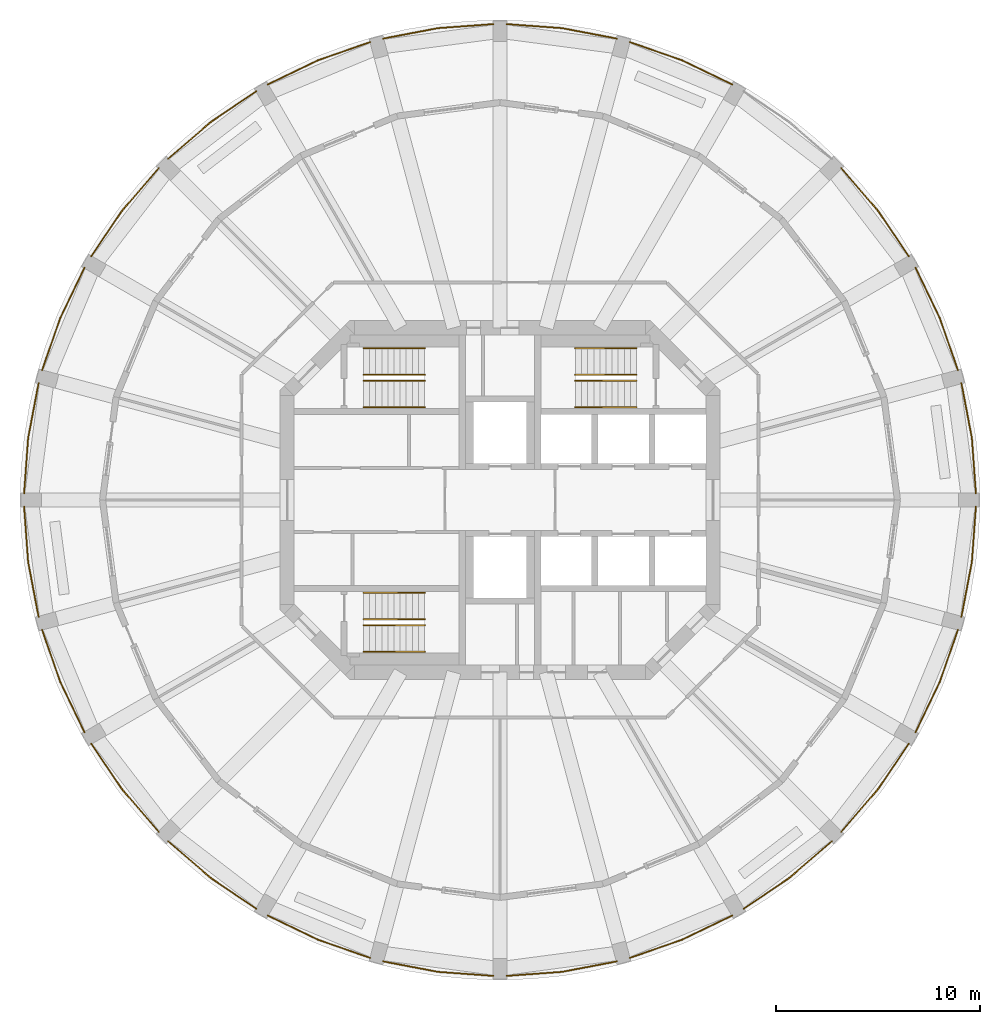
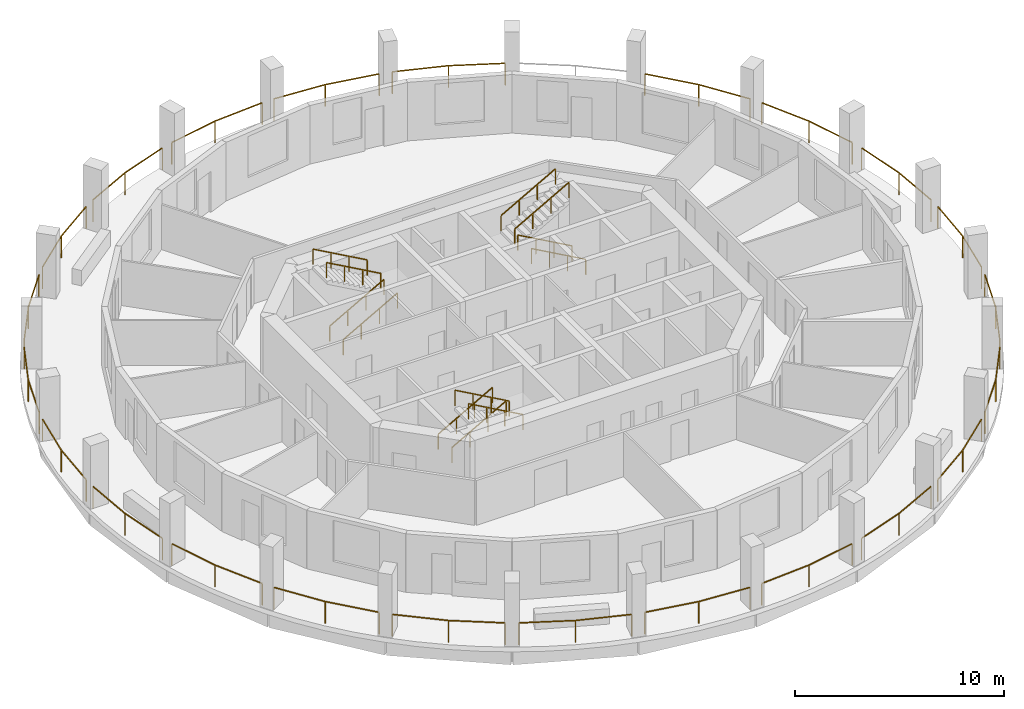
# One storey, part 7 of 8: 35 railings.
"""IFC4 building model written with IfcOpenShell, lengths in metres."""

from ifc_helpers import new_model, si_unit, direction, frame, origin, origin_2d, place, context, subcontext, project, spatial, rectangle, extrude, material, type_object, element, save


model = new_model("IFC4")

# Units and contexts
model_context = context("Model", 3, precision=1e-05, world=origin(), true_north=direction((0.0, 1.0)))
body_context = subcontext(model_context, "Body", "Model", "MODEL_VIEW")
ifc_project = project(units=[si_unit("LENGTHUNIT", "METRE"), si_unit("AREAUNIT", "SQUARE_METRE"), si_unit("VOLUMEUNIT", "CUBIC_METRE"), si_unit("PLANEANGLEUNIT", "RADIAN"), si_unit("MASSUNIT", "GRAM", prefix="KILO")], contexts=[model_context])

# Site, building, storey
site_placement = place(None, origin())
site = spatial("IfcSite", under=ifc_project, at=site_placement, CompositionType="ELEMENT")
building_placement = place(site_placement, origin())
building = spatial("IfcBuilding", under=site, at=building_placement, Name="Torre Triforio", CompositionType="ELEMENT")
storey_placement = place(building_placement, frame((0.0, 0.0, 196.5)))
storey = spatial("IfcBuildingStorey", under=building, at=storey_placement, Name="L44", CompositionType="ELEMENT", Elevation=196.5)

# Railings
ifc_material = material(Name="Stainless steel AISI 316", Category="steel")
railing_type_1 = type_object("IfcRailingType", Name="HANDRAIL 920", PredefinedType="HANDRAIL", material=ifc_material)
for number, where, name in (
    (1, (-6.699951171875, 4.550048828125, 0.168212890625), "Handrail ST1"),
    (2, (-6.699951171875, 5.85009765625, 0.168212890625), "Handrail ST1"),
):
    element("IfcRailing", number, at=place(storey_placement, frame(where)), inside=storey, type_object=railing_type_1, Name=name, PredefinedType="HANDRAIL", context=body_context, shape_type="SweptSolid", body=[
        extrude(rectangle(XDim=0.048095703125, YDim=0.048095703125, at=origin_2d()), frame((0.0, 0.0, 0.89599609375), z_axis=(0.872272294576, 0.0, 0.489020494575), x_axis=(0.0, 1.0, 0.0)), (0.0, 0.0, 1.0), 3.439208984375),
        extrude(rectangle(XDim=0.0419921875, YDim=0.0419921875, at=origin_2d()), origin(), (0.0, 0.0, 1.0), 0.871826171875),
        extrude(rectangle(XDim=0.0419921875, YDim=0.0419921875, at=origin_2d()), frame((1.0, 0.0, 0.560546875)), (0.0, 0.0, 1.0), 0.871826171875),
        extrude(rectangle(XDim=0.0419921875, YDim=0.0419921875, at=origin_2d()), frame((2.0, 0.0, 1.121337890625)), (0.0, 0.0, 1.0), 0.871826171875),
        extrude(rectangle(XDim=0.0419921875, YDim=0.0419921875, at=origin_2d()), frame((3.0, 0.0, 1.681884765625)), (0.0, 0.0, 1.0), 0.871826171875),
    ])
for number, where, name in (
    (3, (-3.699951171875, 7.449951171875, 2.01806640625), "Handrail ST1"),
    (4, (-3.699951171875, 6.14990234375, 2.01806640625), "Handrail ST1"),
    (5, (6.699951171875, 4.550048828125, 0.168212890625), "Handrail ST2"),
    (6, (6.699951171875, 5.85009765625, 0.168212890625), "Handrail ST2"),
):
    element("IfcRailing", number, at=place(storey_placement, frame(where)), inside=storey, type_object=railing_type_1, Name=name, PredefinedType="HANDRAIL", context=body_context, shape_type="SweptSolid", body=[
        extrude(rectangle(XDim=0.048095703125, YDim=0.048095703125, at=origin_2d()), frame((0.0, 0.0, 0.89599609375), z_axis=(-0.872272294576, 0.0, 0.489020494575), x_axis=(0.0, -1.0, 0.0)), (0.0, 0.0, 1.0), 3.439208984375),
        extrude(rectangle(XDim=0.0419921875, YDim=0.0419921875, at=origin_2d()), origin(), (0.0, 0.0, 1.0), 0.871826171875),
        extrude(rectangle(XDim=0.0419921875, YDim=0.0419921875, at=origin_2d()), frame((-1.0, 0.0, 0.560546875)), (0.0, 0.0, 1.0), 0.871826171875),
        extrude(rectangle(XDim=0.0419921875, YDim=0.0419921875, at=origin_2d()), frame((-2.0, 0.0, 1.121337890625)), (0.0, 0.0, 1.0), 0.871826171875),
        extrude(rectangle(XDim=0.0419921875, YDim=0.0419921875, at=origin_2d()), frame((-3.0, 0.0, 1.681884765625)), (0.0, 0.0, 1.0), 0.871826171875),
    ])
for number, where, name in (
    (7, (3.699951171875, 7.449951171875, 2.01806640625), "Handrail ST2"),
    (8, (3.699951171875, 6.14990234375, 2.01806640625), "Handrail ST2"),
    (9, (-6.699951171875, -4.550048828125, 0.168212890625), "Handrail ST3"),
    (10, (-6.699951171875, -5.85009765625, 0.168212890625), "Handrail ST3"),
):
    element("IfcRailing", number, at=place(storey_placement, frame(where)), inside=storey, type_object=railing_type_1, Name=name, PredefinedType="HANDRAIL", context=body_context, shape_type="SweptSolid", body=[
        extrude(rectangle(XDim=0.048095703125, YDim=0.048095703125, at=origin_2d()), frame((0.0, 0.0, 0.89599609375), z_axis=(0.872272294576, 0.0, 0.489020494575), x_axis=(0.0, 1.0, 0.0)), (0.0, 0.0, 1.0), 3.439208984375),
        extrude(rectangle(XDim=0.0419921875, YDim=0.0419921875, at=origin_2d()), origin(), (0.0, 0.0, 1.0), 0.871826171875),
        extrude(rectangle(XDim=0.0419921875, YDim=0.0419921875, at=origin_2d()), frame((1.0, 0.0, 0.560546875)), (0.0, 0.0, 1.0), 0.871826171875),
        extrude(rectangle(XDim=0.0419921875, YDim=0.0419921875, at=origin_2d()), frame((2.0, 0.0, 1.121337890625)), (0.0, 0.0, 1.0), 0.871826171875),
        extrude(rectangle(XDim=0.0419921875, YDim=0.0419921875, at=origin_2d()), frame((3.0, 0.0, 1.681884765625)), (0.0, 0.0, 1.0), 0.871826171875),
    ])
for number, where, name in (
    (11, (-3.699951171875, -7.449951171875, 2.01806640625), "Handrail ST3"),
    (12, (-3.699951171875, -6.14990234375, 2.01806640625), "Handrail ST3"),
):
    element("IfcRailing", number, at=place(storey_placement, frame(where)), inside=storey, type_object=railing_type_1, Name=name, PredefinedType="HANDRAIL", context=body_context, shape_type="SweptSolid", body=[
        extrude(rectangle(XDim=0.048095703125, YDim=0.048095703125, at=origin_2d()), frame((0.0, 0.0, 0.89599609375), z_axis=(-0.872272294576, 0.0, 0.489020494575), x_axis=(0.0, -1.0, 0.0)), (0.0, 0.0, 1.0), 3.439208984375),
        extrude(rectangle(XDim=0.0419921875, YDim=0.0419921875, at=origin_2d()), origin(), (0.0, 0.0, 1.0), 0.871826171875),
        extrude(rectangle(XDim=0.0419921875, YDim=0.0419921875, at=origin_2d()), frame((-1.0, 0.0, 0.560546875)), (0.0, 0.0, 1.0), 0.871826171875),
        extrude(rectangle(XDim=0.0419921875, YDim=0.0419921875, at=origin_2d()), frame((-2.0, 0.0, 1.121337890625)), (0.0, 0.0, 1.0), 0.871826171875),
        extrude(rectangle(XDim=0.0419921875, YDim=0.0419921875, at=origin_2d()), frame((-3.0, 0.0, 1.681884765625)), (0.0, 0.0, 1.0), 0.871826171875),
    ])
railing_type_2 = type_object("IfcRailingType", Name="Loggia guard 1300", PredefinedType="GUARDRAIL", material=ifc_material)
railing_1_placement = place(storey_placement, frame((23.35009765625, 0.320068359375, 0.0)))
element("IfcRailing", 13, at=railing_1_placement, inside=storey, type_object=railing_type_2, Name="Loggia guard L44 bay 01", PredefinedType="GUARDRAIL", context=body_context, shape_type="SweptSolid", body=[
    extrude(rectangle(XDim=0.050048828125, YDim=0.050048828125, at=origin_2d()), frame((0.0, 0.0, 1.27490234375), z_axis=(-0.073105569346, 0.997324207934, 0.0), x_axis=(-0.997324207934, -0.073105569346, 0.0)), (0.0, 0.0, 1.0), 2.735107421875),
    extrude(rectangle(XDim=0.050048828125, YDim=0.050048828125, at=origin_2d()), frame((-0.199951171875, 2.727783203125, 1.27490234375), z_axis=(-0.187542781797, 0.982256435457, 0.0), x_axis=(-0.982256435457, -0.187542781797, 0.0)), (0.0, 0.0, 1.0), 2.735107421875),
    extrude(rectangle(XDim=0.0400390625, YDim=0.0400390625, at=origin_2d()), origin(), (0.0, 0.0, 1.0), 1.25),
    extrude(rectangle(XDim=0.0400390625, YDim=0.0400390625, at=origin_2d()), frame((-0.199951171875, 2.727783203125, 0.0)), (0.0, 0.0, 1.0), 1.25),
    extrude(rectangle(XDim=0.0400390625, YDim=0.0400390625, at=origin_2d()), frame((-0.712890625, 5.414306640625, 0.0)), (0.0, 0.0, 1.0), 1.25),
])
railing_2_placement = place(storey_placement, frame((22.471435546875, 6.3525390625, 0.0)))
element("IfcRailing", 14, at=railing_2_placement, inside=storey, type_object=railing_type_2, Name="Loggia guard L44 bay 02", PredefinedType="GUARDRAIL", context=body_context, shape_type="SweptSolid", body=[
    extrude(rectangle(XDim=0.050048828125, YDim=0.050048828125, at=origin_2d()), frame((0.0, 0.0, 1.27490234375), z_axis=(-0.328652177394, 0.944451029061, 0.0), x_axis=(-0.944451029061, -0.328652177394, 0.0)), (0.0, 0.0, 1.0), 2.735107421875),
    extrude(rectangle(XDim=0.050048828125, YDim=0.050048828125, at=origin_2d()), frame((-0.89892578125, 2.583251953125, 1.27490234375), z_axis=(-0.435427931096, 0.900223592682, 0.0), x_axis=(-0.900223592682, -0.435427931096, 0.0)), (0.0, 0.0, 1.0), 2.735107421875),
    extrude(rectangle(XDim=0.0400390625, YDim=0.0400390625, at=origin_2d()), origin(), (0.0, 0.0, 1.0), 1.25),
    extrude(rectangle(XDim=0.0400390625, YDim=0.0400390625, at=origin_2d()), frame((-0.89892578125, 2.583251953125, 0.0)), (0.0, 0.0, 1.0), 1.25),
    extrude(rectangle(XDim=0.0400390625, YDim=0.0400390625, at=origin_2d()), frame((-2.08984375, 5.04541015625, 0.0)), (0.0, 0.0, 1.0), 1.25),
])
railing_3_placement = place(storey_placement, frame((20.061767578125, 11.9521484375, 0.0)))
element("IfcRailing", 15, at=railing_3_placement, inside=storey, type_object=railing_type_2, Name="Loggia guard L44 bay 03", PredefinedType="GUARDRAIL", context=body_context, shape_type="SweptSolid", body=[
    extrude(rectangle(XDim=0.050048828125, YDim=0.050048828125, at=origin_2d()), frame((0.0, 0.0, 1.27490234375), z_axis=(-0.561909542334, 0.827198686069, 0.0), x_axis=(-0.827198686069, -0.561909542334, 0.0)), (0.0, 0.0, 1.0), 2.735107421875),
    extrude(rectangle(XDim=0.050048828125, YDim=0.050048828125, at=origin_2d()), frame((-1.536865234375, 2.262451171875, 1.27490234375), z_axis=(-0.653580361536, 0.756857127214, 0.0), x_axis=(-0.756857127214, -0.653580361536, 0.0)), (0.0, 0.0, 1.0), 2.735107421875),
    extrude(rectangle(XDim=0.0400390625, YDim=0.0400390625, at=origin_2d()), origin(), (0.0, 0.0, 1.0), 1.25),
    extrude(rectangle(XDim=0.0400390625, YDim=0.0400390625, at=origin_2d()), frame((-1.536865234375, 2.262451171875, 0.0)), (0.0, 0.0, 1.0), 1.25),
    extrude(rectangle(XDim=0.0400390625, YDim=0.0400390625, at=origin_2d()), frame((-3.324462890625, 4.33251953125, 0.0)), (0.0, 0.0, 1.0), 1.25),
])
railing_4_placement = place(storey_placement, frame((11.39794921875, 20.381591796875, 0.0)))
element("IfcRailing", 16, at=railing_4_placement, inside=storey, type_object=railing_type_2, Name="Loggia guard L44 bay 05", PredefinedType="GUARDRAIL", context=body_context, shape_type="SweptSolid", body=[
    extrude(rectangle(XDim=0.050048828125, YDim=0.050048828125, at=origin_2d()), frame((0.0, 0.0, 1.27490234375), z_axis=(-0.900223592682, 0.435427931096, 0.0), x_axis=(-0.435427931096, -0.900223592682, 0.0)), (0.0, 0.0, 1.0), 2.735107421875),
    extrude(rectangle(XDim=0.050048828125, YDim=0.050048828125, at=origin_2d()), frame((-2.462158203125, 1.19091796875, 1.27490234375), z_axis=(-0.944451029061, 0.328652177394, 0.0), x_axis=(-0.328652177394, -0.944451029061, 0.0)), (0.0, 0.0, 1.0), 2.735107421875),
    extrude(rectangle(XDim=0.0400390625, YDim=0.0400390625, at=origin_2d()), origin(), (0.0, 0.0, 1.0), 1.25),
    extrude(rectangle(XDim=0.0400390625, YDim=0.0400390625, at=origin_2d()), frame((-2.462158203125, 1.19091796875, 0.0)), (0.0, 0.0, 1.0), 1.25),
    extrude(rectangle(XDim=0.0400390625, YDim=0.0400390625, at=origin_2d()), frame((-5.04541015625, 2.08984375, 0.0)), (0.0, 0.0, 1.0), 1.25),
])
railing_5_placement = place(storey_placement, frame((5.734375, 22.63720703125, 0.0)))
element("IfcRailing", 17, at=railing_5_placement, inside=storey, type_object=railing_type_2, Name="Loggia guard L44 bay 06", PredefinedType="GUARDRAIL", context=body_context, shape_type="SweptSolid", body=[
    extrude(rectangle(XDim=0.050048828125, YDim=0.050048828125, at=origin_2d()), frame((0.0, 0.0, 1.27490234375), z_axis=(-0.982256435457, 0.187542781797, 0.0), x_axis=(-0.187542781797, -0.982256435457, 0.0)), (0.0, 0.0, 1.0), 2.735107421875),
    extrude(rectangle(XDim=0.050048828125, YDim=0.050048828125, at=origin_2d()), frame((-2.6865234375, 0.512939453125, 1.27490234375), z_axis=(-0.997324207934, 0.073105569346, 0.0), x_axis=(-0.073105569346, -0.997324207934, 0.0)), (0.0, 0.0, 1.0), 2.735107421875),
    extrude(rectangle(XDim=0.0400390625, YDim=0.0400390625, at=origin_2d()), origin(), (0.0, 0.0, 1.0), 1.25),
    extrude(rectangle(XDim=0.0400390625, YDim=0.0400390625, at=origin_2d()), frame((-2.6865234375, 0.512939453125, 0.0)), (0.0, 0.0, 1.0), 1.25),
    extrude(rectangle(XDim=0.0400390625, YDim=0.0400390625, at=origin_2d()), frame((-5.414306640625, 0.712890625, 0.0)), (0.0, 0.0, 1.0), 1.25),
])
railing_6_placement = place(storey_placement, frame((-0.320068359375, 23.35009765625, 0.0)))
element("IfcRailing", 18, at=railing_6_placement, inside=storey, type_object=railing_type_2, Name="Loggia guard L44 bay 07", PredefinedType="GUARDRAIL", context=body_context, shape_type="SweptSolid", body=[
    extrude(rectangle(XDim=0.050048828125, YDim=0.050048828125, at=origin_2d()), frame((0.0, 0.0, 1.27490234375), z_axis=(-0.997324207934, -0.073105569346, 0.0), x_axis=(0.073105569346, -0.997324207934, 0.0)), (0.0, 0.0, 1.0), 2.735107421875),
    extrude(rectangle(XDim=0.050048828125, YDim=0.050048828125, at=origin_2d()), frame((-2.727783203125, -0.199951171875, 1.27490234375), z_axis=(-0.982256435457, -0.187542781797, 0.0), x_axis=(0.187542781797, -0.982256435457, 0.0)), (0.0, 0.0, 1.0), 2.735107421875),
    extrude(rectangle(XDim=0.0400390625, YDim=0.0400390625, at=origin_2d()), origin(), (0.0, 0.0, 1.0), 1.25),
    extrude(rectangle(XDim=0.0400390625, YDim=0.0400390625, at=origin_2d()), frame((-2.727783203125, -0.199951171875, 0.0)), (0.0, 0.0, 1.0), 1.25),
    extrude(rectangle(XDim=0.0400390625, YDim=0.0400390625, at=origin_2d()), frame((-5.414306640625, -0.712890625, 0.0)), (0.0, 0.0, 1.0), 1.25),
])
railing_7_placement = place(storey_placement, frame((-6.3525390625, 22.471435546875, 0.0)))
element("IfcRailing", 19, at=railing_7_placement, inside=storey, type_object=railing_type_2, Name="Loggia guard L44 bay 08", PredefinedType="GUARDRAIL", context=body_context, shape_type="SweptSolid", body=[
    extrude(rectangle(XDim=0.050048828125, YDim=0.050048828125, at=origin_2d()), frame((0.0, 0.0, 1.27490234375), z_axis=(-0.944451029061, -0.328652177394, 0.0), x_axis=(0.328652177394, -0.944451029061, 0.0)), (0.0, 0.0, 1.0), 2.735107421875),
    extrude(rectangle(XDim=0.050048828125, YDim=0.050048828125, at=origin_2d()), frame((-2.583251953125, -0.89892578125, 1.27490234375), z_axis=(-0.900223592682, -0.435427931096, 0.0), x_axis=(0.435427931096, -0.900223592682, 0.0)), (0.0, 0.0, 1.0), 2.735107421875),
    extrude(rectangle(XDim=0.0400390625, YDim=0.0400390625, at=origin_2d()), origin(), (0.0, 0.0, 1.0), 1.25),
    extrude(rectangle(XDim=0.0400390625, YDim=0.0400390625, at=origin_2d()), frame((-2.583251953125, -0.89892578125, 0.0)), (0.0, 0.0, 1.0), 1.25),
    extrude(rectangle(XDim=0.0400390625, YDim=0.0400390625, at=origin_2d()), frame((-5.04541015625, -2.08984375, 0.0)), (0.0, 0.0, 1.0), 1.25),
])
railing_8_placement = place(storey_placement, frame((-11.9521484375, 20.061767578125, 0.0)))
element("IfcRailing", 20, at=railing_8_placement, inside=storey, type_object=railing_type_2, Name="Loggia guard L44 bay 09", PredefinedType="GUARDRAIL", context=body_context, shape_type="SweptSolid", body=[
    extrude(rectangle(XDim=0.050048828125, YDim=0.050048828125, at=origin_2d()), frame((0.0, 0.0, 1.27490234375), z_axis=(-0.827198686069, -0.561909542334, 0.0), x_axis=(0.561909542334, -0.827198686069, 0.0)), (0.0, 0.0, 1.0), 2.735107421875),
    extrude(rectangle(XDim=0.050048828125, YDim=0.050048828125, at=origin_2d()), frame((-2.262451171875, -1.536865234375, 1.27490234375), z_axis=(-0.756857127214, -0.653580361536, 0.0), x_axis=(0.653580361536, -0.756857127214, 0.0)), (0.0, 0.0, 1.0), 2.735107421875),
    extrude(rectangle(XDim=0.0400390625, YDim=0.0400390625, at=origin_2d()), origin(), (0.0, 0.0, 1.0), 1.25),
    extrude(rectangle(XDim=0.0400390625, YDim=0.0400390625, at=origin_2d()), frame((-2.262451171875, -1.536865234375, 0.0)), (0.0, 0.0, 1.0), 1.25),
    extrude(rectangle(XDim=0.0400390625, YDim=0.0400390625, at=origin_2d()), frame((-4.33251953125, -3.324462890625, 0.0)), (0.0, 0.0, 1.0), 1.25),
])
railing_9_placement = place(storey_placement, frame((-16.7373046875, 16.28466796875, 0.0)))
element("IfcRailing", 21, at=railing_9_placement, inside=storey, type_object=railing_type_2, Name="Loggia guard L44 bay 10", PredefinedType="GUARDRAIL", context=body_context, shape_type="SweptSolid", body=[
    extrude(rectangle(XDim=0.050048828125, YDim=0.050048828125, at=origin_2d()), frame((0.0, 0.0, 1.27490234375), z_axis=(-0.653580361536, -0.756857127214, 0.0), x_axis=(0.756857127214, -0.653580361536, 0.0)), (0.0, 0.0, 1.0), 2.735107421875),
    extrude(rectangle(XDim=0.050048828125, YDim=0.050048828125, at=origin_2d()), frame((-1.78759765625, -2.070068359375, 1.27490234375), z_axis=(-0.561909542334, -0.827198686069, 0.0), x_axis=(0.827198686069, -0.561909542334, 0.0)), (0.0, 0.0, 1.0), 2.735107421875),
    extrude(rectangle(XDim=0.0400390625, YDim=0.0400390625, at=origin_2d()), origin(), (0.0, 0.0, 1.0), 1.25),
    extrude(rectangle(XDim=0.0400390625, YDim=0.0400390625, at=origin_2d()), frame((-1.78759765625, -2.070068359375, 0.0)), (0.0, 0.0, 1.0), 1.25),
    extrude(rectangle(XDim=0.0400390625, YDim=0.0400390625, at=origin_2d()), frame((-3.324462890625, -4.33251953125, 0.0)), (0.0, 0.0, 1.0), 1.25),
])
railing_10_placement = place(storey_placement, frame((-20.381591796875, 11.39794921875, 0.0)))
element("IfcRailing", 22, at=railing_10_placement, inside=storey, type_object=railing_type_2, Name="Loggia guard L44 bay 11", PredefinedType="GUARDRAIL", context=body_context, shape_type="SweptSolid", body=[
    extrude(rectangle(XDim=0.050048828125, YDim=0.050048828125, at=origin_2d()), frame((0.0, 0.0, 1.27490234375), z_axis=(-0.435427931096, -0.900223592682, 0.0), x_axis=(0.900223592682, -0.435427931096, 0.0)), (0.0, 0.0, 1.0), 2.735107421875),
    extrude(rectangle(XDim=0.050048828125, YDim=0.050048828125, at=origin_2d()), frame((-1.19091796875, -2.462158203125, 1.27490234375), z_axis=(-0.328652177394, -0.944451029061, 0.0), x_axis=(0.944451029061, -0.328652177394, 0.0)), (0.0, 0.0, 1.0), 2.735107421875),
    extrude(rectangle(XDim=0.0400390625, YDim=0.0400390625, at=origin_2d()), origin(), (0.0, 0.0, 1.0), 1.25),
    extrude(rectangle(XDim=0.0400390625, YDim=0.0400390625, at=origin_2d()), frame((-1.19091796875, -2.462158203125, 0.0)), (0.0, 0.0, 1.0), 1.25),
    extrude(rectangle(XDim=0.0400390625, YDim=0.0400390625, at=origin_2d()), frame((-2.08984375, -5.04541015625, 0.0)), (0.0, 0.0, 1.0), 1.25),
])
railing_11_placement = place(storey_placement, frame((-22.63720703125, 5.734375, 0.0)))
element("IfcRailing", 23, at=railing_11_placement, inside=storey, type_object=railing_type_2, Name="Loggia guard L44 bay 12", PredefinedType="GUARDRAIL", context=body_context, shape_type="SweptSolid", body=[
    extrude(rectangle(XDim=0.050048828125, YDim=0.050048828125, at=origin_2d()), frame((0.0, 0.0, 1.27490234375), z_axis=(-0.187542781797, -0.982256435457, 0.0), x_axis=(0.982256435457, -0.187542781797, 0.0)), (0.0, 0.0, 1.0), 2.735107421875),
    extrude(rectangle(XDim=0.050048828125, YDim=0.050048828125, at=origin_2d()), frame((-0.512939453125, -2.6865234375, 1.27490234375), z_axis=(-0.073105569346, -0.997324207934, 0.0), x_axis=(0.997324207934, -0.073105569346, 0.0)), (0.0, 0.0, 1.0), 2.735107421875),
    extrude(rectangle(XDim=0.0400390625, YDim=0.0400390625, at=origin_2d()), origin(), (0.0, 0.0, 1.0), 1.25),
    extrude(rectangle(XDim=0.0400390625, YDim=0.0400390625, at=origin_2d()), frame((-0.512939453125, -2.6865234375, 0.0)), (0.0, 0.0, 1.0), 1.25),
    extrude(rectangle(XDim=0.0400390625, YDim=0.0400390625, at=origin_2d()), frame((-0.712890625, -5.414306640625, 0.0)), (0.0, 0.0, 1.0), 1.25),
])
railing_12_placement = place(storey_placement, frame((-23.35009765625, -0.320068359375, 0.0)))
element("IfcRailing", 24, at=railing_12_placement, inside=storey, type_object=railing_type_2, Name="Loggia guard L44 bay 13", PredefinedType="GUARDRAIL", context=body_context, shape_type="SweptSolid", body=[
    extrude(rectangle(XDim=0.050048828125, YDim=0.050048828125, at=origin_2d()), frame((0.0, 0.0, 1.27490234375), z_axis=(0.073105569346, -0.997324207934, 0.0), x_axis=(0.997324207934, 0.073105569346, 0.0)), (0.0, 0.0, 1.0), 2.735107421875),
    extrude(rectangle(XDim=0.050048828125, YDim=0.050048828125, at=origin_2d()), frame((0.199951171875, -2.727783203125, 1.27490234375), z_axis=(0.187542781797, -0.982256435457, 0.0), x_axis=(0.982256435457, 0.187542781797, 0.0)), (0.0, 0.0, 1.0), 2.735107421875),
    extrude(rectangle(XDim=0.0400390625, YDim=0.0400390625, at=origin_2d()), origin(), (0.0, 0.0, 1.0), 1.25),
    extrude(rectangle(XDim=0.0400390625, YDim=0.0400390625, at=origin_2d()), frame((0.199951171875, -2.727783203125, 0.0)), (0.0, 0.0, 1.0), 1.25),
    extrude(rectangle(XDim=0.0400390625, YDim=0.0400390625, at=origin_2d()), frame((0.712890625, -5.414306640625, 0.0)), (0.0, 0.0, 1.0), 1.25),
])
railing_13_placement = place(storey_placement, frame((-22.471435546875, -6.3525390625, 0.0)))
element("IfcRailing", 25, at=railing_13_placement, inside=storey, type_object=railing_type_2, Name="Loggia guard L44 bay 14", PredefinedType="GUARDRAIL", context=body_context, shape_type="SweptSolid", body=[
    extrude(rectangle(XDim=0.050048828125, YDim=0.050048828125, at=origin_2d()), frame((0.0, 0.0, 1.27490234375), z_axis=(0.328652177394, -0.944451029061, 0.0), x_axis=(0.944451029061, 0.328652177394, 0.0)), (0.0, 0.0, 1.0), 2.735107421875),
    extrude(rectangle(XDim=0.050048828125, YDim=0.050048828125, at=origin_2d()), frame((0.89892578125, -2.583251953125, 1.27490234375), z_axis=(0.435427931096, -0.900223592682, 0.0), x_axis=(0.900223592682, 0.435427931096, 0.0)), (0.0, 0.0, 1.0), 2.735107421875),
    extrude(rectangle(XDim=0.0400390625, YDim=0.0400390625, at=origin_2d()), origin(), (0.0, 0.0, 1.0), 1.25),
    extrude(rectangle(XDim=0.0400390625, YDim=0.0400390625, at=origin_2d()), frame((0.89892578125, -2.583251953125, 0.0)), (0.0, 0.0, 1.0), 1.25),
    extrude(rectangle(XDim=0.0400390625, YDim=0.0400390625, at=origin_2d()), frame((2.08984375, -5.04541015625, 0.0)), (0.0, 0.0, 1.0), 1.25),
])
railing_14_placement = place(storey_placement, frame((-20.061767578125, -11.9521484375, 0.0)))
element("IfcRailing", 26, at=railing_14_placement, inside=storey, type_object=railing_type_2, Name="Loggia guard L44 bay 15", PredefinedType="GUARDRAIL", context=body_context, shape_type="SweptSolid", body=[
    extrude(rectangle(XDim=0.050048828125, YDim=0.050048828125, at=origin_2d()), frame((0.0, 0.0, 1.27490234375), z_axis=(0.561909542334, -0.827198686069, 0.0), x_axis=(0.827198686069, 0.561909542334, 0.0)), (0.0, 0.0, 1.0), 2.735107421875),
    extrude(rectangle(XDim=0.050048828125, YDim=0.050048828125, at=origin_2d()), frame((1.536865234375, -2.262451171875, 1.27490234375), z_axis=(0.653580361536, -0.756857127214, 0.0), x_axis=(0.756857127214, 0.653580361536, 0.0)), (0.0, 0.0, 1.0), 2.735107421875),
    extrude(rectangle(XDim=0.0400390625, YDim=0.0400390625, at=origin_2d()), origin(), (0.0, 0.0, 1.0), 1.25),
    extrude(rectangle(XDim=0.0400390625, YDim=0.0400390625, at=origin_2d()), frame((1.536865234375, -2.262451171875, 0.0)), (0.0, 0.0, 1.0), 1.25),
    extrude(rectangle(XDim=0.0400390625, YDim=0.0400390625, at=origin_2d()), frame((3.324462890625, -4.33251953125, 0.0)), (0.0, 0.0, 1.0), 1.25),
])
railing_15_placement = place(storey_placement, frame((-16.28466796875, -16.7373046875, 0.0)))
element("IfcRailing", 27, at=railing_15_placement, inside=storey, type_object=railing_type_2, Name="Loggia guard L44 bay 16", PredefinedType="GUARDRAIL", context=body_context, shape_type="SweptSolid", body=[
    extrude(rectangle(XDim=0.050048828125, YDim=0.050048828125, at=origin_2d()), frame((0.0, 0.0, 1.27490234375), z_axis=(0.756857127214, -0.653580361536, 0.0), x_axis=(0.653580361536, 0.756857127214, 0.0)), (0.0, 0.0, 1.0), 2.735107421875),
    extrude(rectangle(XDim=0.050048828125, YDim=0.050048828125, at=origin_2d()), frame((2.070068359375, -1.78759765625, 1.27490234375), z_axis=(0.827198686069, -0.561909542334, 0.0), x_axis=(0.561909542334, 0.827198686069, 0.0)), (0.0, 0.0, 1.0), 2.735107421875),
    extrude(rectangle(XDim=0.0400390625, YDim=0.0400390625, at=origin_2d()), origin(), (0.0, 0.0, 1.0), 1.25),
    extrude(rectangle(XDim=0.0400390625, YDim=0.0400390625, at=origin_2d()), frame((2.070068359375, -1.78759765625, 0.0)), (0.0, 0.0, 1.0), 1.25),
    extrude(rectangle(XDim=0.0400390625, YDim=0.0400390625, at=origin_2d()), frame((4.33251953125, -3.324462890625, 0.0)), (0.0, 0.0, 1.0), 1.25),
])
railing_16_placement = place(storey_placement, frame((-11.39794921875, -20.381591796875, 0.0)))
element("IfcRailing", 28, at=railing_16_placement, inside=storey, type_object=railing_type_2, Name="Loggia guard L44 bay 17", PredefinedType="GUARDRAIL", context=body_context, shape_type="SweptSolid", body=[
    extrude(rectangle(XDim=0.050048828125, YDim=0.050048828125, at=origin_2d()), frame((0.0, 0.0, 1.27490234375), z_axis=(0.900223592682, -0.435427931096, 0.0), x_axis=(0.435427931096, 0.900223592682, 0.0)), (0.0, 0.0, 1.0), 2.735107421875),
    extrude(rectangle(XDim=0.050048828125, YDim=0.050048828125, at=origin_2d()), frame((2.462158203125, -1.19091796875, 1.27490234375), z_axis=(0.944451029061, -0.328652177394, 0.0), x_axis=(0.328652177394, 0.944451029061, 0.0)), (0.0, 0.0, 1.0), 2.735107421875),
    extrude(rectangle(XDim=0.0400390625, YDim=0.0400390625, at=origin_2d()), origin(), (0.0, 0.0, 1.0), 1.25),
    extrude(rectangle(XDim=0.0400390625, YDim=0.0400390625, at=origin_2d()), frame((2.462158203125, -1.19091796875, 0.0)), (0.0, 0.0, 1.0), 1.25),
    extrude(rectangle(XDim=0.0400390625, YDim=0.0400390625, at=origin_2d()), frame((5.04541015625, -2.08984375, 0.0)), (0.0, 0.0, 1.0), 1.25),
])
railing_17_placement = place(storey_placement, frame((-5.734375, -22.63720703125, 0.0)))
element("IfcRailing", 29, at=railing_17_placement, inside=storey, type_object=railing_type_2, Name="Loggia guard L44 bay 18", PredefinedType="GUARDRAIL", context=body_context, shape_type="SweptSolid", body=[
    extrude(rectangle(XDim=0.050048828125, YDim=0.050048828125, at=origin_2d()), frame((0.0, 0.0, 1.27490234375), z_axis=(0.982256435457, -0.187542781797, 0.0), x_axis=(0.187542781797, 0.982256435457, 0.0)), (0.0, 0.0, 1.0), 2.735107421875),
    extrude(rectangle(XDim=0.050048828125, YDim=0.050048828125, at=origin_2d()), frame((2.6865234375, -0.512939453125, 1.27490234375), z_axis=(0.997324207934, -0.073105569346, 0.0), x_axis=(0.073105569346, 0.997324207934, 0.0)), (0.0, 0.0, 1.0), 2.735107421875),
    extrude(rectangle(XDim=0.0400390625, YDim=0.0400390625, at=origin_2d()), origin(), (0.0, 0.0, 1.0), 1.25),
    extrude(rectangle(XDim=0.0400390625, YDim=0.0400390625, at=origin_2d()), frame((2.6865234375, -0.512939453125, 0.0)), (0.0, 0.0, 1.0), 1.25),
    extrude(rectangle(XDim=0.0400390625, YDim=0.0400390625, at=origin_2d()), frame((5.414306640625, -0.712890625, 0.0)), (0.0, 0.0, 1.0), 1.25),
])
railing_18_placement = place(storey_placement, frame((0.320068359375, -23.35009765625, 0.0)))
element("IfcRailing", 30, at=railing_18_placement, inside=storey, type_object=railing_type_2, Name="Loggia guard L44 bay 19", PredefinedType="GUARDRAIL", context=body_context, shape_type="SweptSolid", body=[
    extrude(rectangle(XDim=0.050048828125, YDim=0.050048828125, at=origin_2d()), frame((0.0, 0.0, 1.27490234375), z_axis=(0.997324207934, 0.073105569346, 0.0), x_axis=(-0.073105569346, 0.997324207934, 0.0)), (0.0, 0.0, 1.0), 2.735107421875),
    extrude(rectangle(XDim=0.050048828125, YDim=0.050048828125, at=origin_2d()), frame((2.727783203125, 0.199951171875, 1.27490234375), z_axis=(0.982256435457, 0.187542781797, 0.0), x_axis=(-0.187542781797, 0.982256435457, 0.0)), (0.0, 0.0, 1.0), 2.735107421875),
    extrude(rectangle(XDim=0.0400390625, YDim=0.0400390625, at=origin_2d()), origin(), (0.0, 0.0, 1.0), 1.25),
    extrude(rectangle(XDim=0.0400390625, YDim=0.0400390625, at=origin_2d()), frame((2.727783203125, 0.199951171875, 0.0)), (0.0, 0.0, 1.0), 1.25),
    extrude(rectangle(XDim=0.0400390625, YDim=0.0400390625, at=origin_2d()), frame((5.414306640625, 0.712890625, 0.0)), (0.0, 0.0, 1.0), 1.25),
])
railing_19_placement = place(storey_placement, frame((6.3525390625, -22.471435546875, 0.0)))
element("IfcRailing", 31, at=railing_19_placement, inside=storey, type_object=railing_type_2, Name="Loggia guard L44 bay 20", PredefinedType="GUARDRAIL", context=body_context, shape_type="SweptSolid", body=[
    extrude(rectangle(XDim=0.050048828125, YDim=0.050048828125, at=origin_2d()), frame((0.0, 0.0, 1.27490234375), z_axis=(0.944451029061, 0.328652177394, 0.0), x_axis=(-0.328652177394, 0.944451029061, 0.0)), (0.0, 0.0, 1.0), 2.735107421875),
    extrude(rectangle(XDim=0.050048828125, YDim=0.050048828125, at=origin_2d()), frame((2.583251953125, 0.89892578125, 1.27490234375), z_axis=(0.900223592682, 0.435427931096, 0.0), x_axis=(-0.435427931096, 0.900223592682, 0.0)), (0.0, 0.0, 1.0), 2.735107421875),
    extrude(rectangle(XDim=0.0400390625, YDim=0.0400390625, at=origin_2d()), origin(), (0.0, 0.0, 1.0), 1.25),
    extrude(rectangle(XDim=0.0400390625, YDim=0.0400390625, at=origin_2d()), frame((2.583251953125, 0.89892578125, 0.0)), (0.0, 0.0, 1.0), 1.25),
    extrude(rectangle(XDim=0.0400390625, YDim=0.0400390625, at=origin_2d()), frame((5.04541015625, 2.08984375, 0.0)), (0.0, 0.0, 1.0), 1.25),
])
railing_20_placement = place(storey_placement, frame((11.9521484375, -20.061767578125, 0.0)))
element("IfcRailing", 32, at=railing_20_placement, inside=storey, type_object=railing_type_2, Name="Loggia guard L44 bay 21", PredefinedType="GUARDRAIL", context=body_context, shape_type="SweptSolid", body=[
    extrude(rectangle(XDim=0.050048828125, YDim=0.050048828125, at=origin_2d()), frame((0.0, 0.0, 1.27490234375), z_axis=(0.827198686069, 0.561909542334, 0.0), x_axis=(-0.561909542334, 0.827198686069, 0.0)), (0.0, 0.0, 1.0), 2.735107421875),
    extrude(rectangle(XDim=0.050048828125, YDim=0.050048828125, at=origin_2d()), frame((2.262451171875, 1.536865234375, 1.27490234375), z_axis=(0.756857127214, 0.653580361536, 0.0), x_axis=(-0.653580361536, 0.756857127214, 0.0)), (0.0, 0.0, 1.0), 2.735107421875),
    extrude(rectangle(XDim=0.0400390625, YDim=0.0400390625, at=origin_2d()), origin(), (0.0, 0.0, 1.0), 1.25),
    extrude(rectangle(XDim=0.0400390625, YDim=0.0400390625, at=origin_2d()), frame((2.262451171875, 1.536865234375, 0.0)), (0.0, 0.0, 1.0), 1.25),
    extrude(rectangle(XDim=0.0400390625, YDim=0.0400390625, at=origin_2d()), frame((4.33251953125, 3.324462890625, 0.0)), (0.0, 0.0, 1.0), 1.25),
])
railing_21_placement = place(storey_placement, frame((16.7373046875, -16.28466796875, 0.0)))
element("IfcRailing", 33, at=railing_21_placement, inside=storey, type_object=railing_type_2, Name="Loggia guard L44 bay 22", PredefinedType="GUARDRAIL", context=body_context, shape_type="SweptSolid", body=[
    extrude(rectangle(XDim=0.050048828125, YDim=0.050048828125, at=origin_2d()), frame((0.0, 0.0, 1.27490234375), z_axis=(0.653580361536, 0.756857127214, 0.0), x_axis=(-0.756857127214, 0.653580361536, 0.0)), (0.0, 0.0, 1.0), 2.735107421875),
    extrude(rectangle(XDim=0.050048828125, YDim=0.050048828125, at=origin_2d()), frame((1.78759765625, 2.070068359375, 1.27490234375), z_axis=(0.561909542334, 0.827198686069, 0.0), x_axis=(-0.827198686069, 0.561909542334, 0.0)), (0.0, 0.0, 1.0), 2.735107421875),
    extrude(rectangle(XDim=0.0400390625, YDim=0.0400390625, at=origin_2d()), origin(), (0.0, 0.0, 1.0), 1.25),
    extrude(rectangle(XDim=0.0400390625, YDim=0.0400390625, at=origin_2d()), frame((1.78759765625, 2.070068359375, 0.0)), (0.0, 0.0, 1.0), 1.25),
    extrude(rectangle(XDim=0.0400390625, YDim=0.0400390625, at=origin_2d()), frame((3.324462890625, 4.33251953125, 0.0)), (0.0, 0.0, 1.0), 1.25),
])
railing_22_placement = place(storey_placement, frame((20.381591796875, -11.39794921875, 0.0)))
element("IfcRailing", 34, at=railing_22_placement, inside=storey, type_object=railing_type_2, Name="Loggia guard L44 bay 23", PredefinedType="GUARDRAIL", context=body_context, shape_type="SweptSolid", body=[
    extrude(rectangle(XDim=0.050048828125, YDim=0.050048828125, at=origin_2d()), frame((0.0, 0.0, 1.27490234375), z_axis=(0.435427931096, 0.900223592682, 0.0), x_axis=(-0.900223592682, 0.435427931096, 0.0)), (0.0, 0.0, 1.0), 2.735107421875),
    extrude(rectangle(XDim=0.050048828125, YDim=0.050048828125, at=origin_2d()), frame((1.19091796875, 2.462158203125, 1.27490234375), z_axis=(0.328652177394, 0.944451029061, 0.0), x_axis=(-0.944451029061, 0.328652177394, 0.0)), (0.0, 0.0, 1.0), 2.735107421875),
    extrude(rectangle(XDim=0.0400390625, YDim=0.0400390625, at=origin_2d()), origin(), (0.0, 0.0, 1.0), 1.25),
    extrude(rectangle(XDim=0.0400390625, YDim=0.0400390625, at=origin_2d()), frame((1.19091796875, 2.462158203125, 0.0)), (0.0, 0.0, 1.0), 1.25),
    extrude(rectangle(XDim=0.0400390625, YDim=0.0400390625, at=origin_2d()), frame((2.08984375, 5.04541015625, 0.0)), (0.0, 0.0, 1.0), 1.25),
])
railing_23_placement = place(storey_placement, frame((22.63720703125, -5.734375, 0.0)))
element("IfcRailing", 35, at=railing_23_placement, inside=storey, type_object=railing_type_2, Name="Loggia guard L44 bay 24", PredefinedType="GUARDRAIL", context=body_context, shape_type="SweptSolid", body=[
    extrude(rectangle(XDim=0.050048828125, YDim=0.050048828125, at=origin_2d()), frame((0.0, 0.0, 1.27490234375), z_axis=(0.187542781797, 0.982256435457, 0.0), x_axis=(-0.982256435457, 0.187542781797, 0.0)), (0.0, 0.0, 1.0), 2.735107421875),
    extrude(rectangle(XDim=0.050048828125, YDim=0.050048828125, at=origin_2d()), frame((0.512939453125, 2.6865234375, 1.27490234375), z_axis=(0.073105569346, 0.997324207934, 0.0), x_axis=(-0.997324207934, 0.073105569346, 0.0)), (0.0, 0.0, 1.0), 2.735107421875),
    extrude(rectangle(XDim=0.0400390625, YDim=0.0400390625, at=origin_2d()), origin(), (0.0, 0.0, 1.0), 1.25),
    extrude(rectangle(XDim=0.0400390625, YDim=0.0400390625, at=origin_2d()), frame((0.512939453125, 2.6865234375, 0.0)), (0.0, 0.0, 1.0), 1.25),
    extrude(rectangle(XDim=0.0400390625, YDim=0.0400390625, at=origin_2d()), frame((0.712890625, 5.414306640625, 0.0)), (0.0, 0.0, 1.0), 1.25),
])

save(model, "model.ifc")
